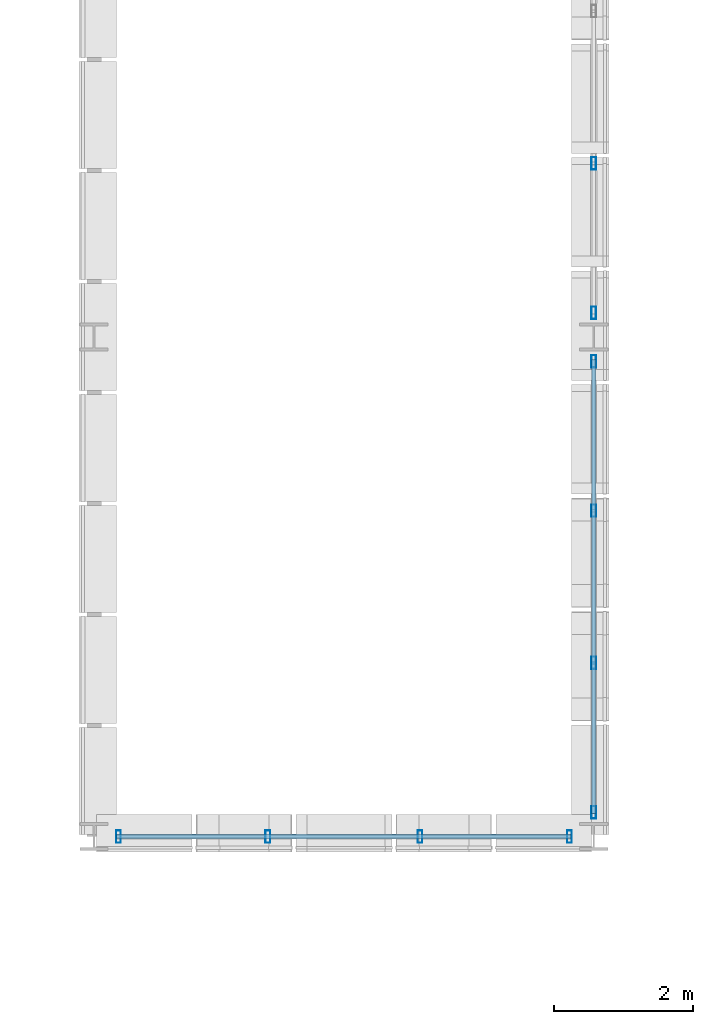
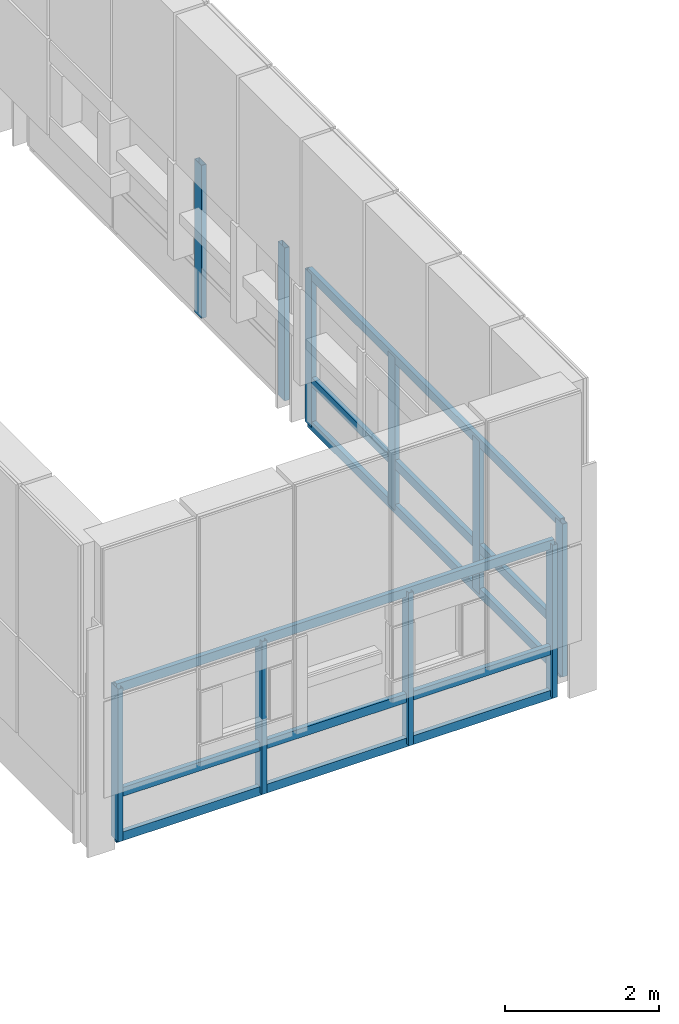
# One storey, part 13 of 96: 16 members, 3 elements without a shape of their own.
"""IFC4 building model written with IfcOpenShell, lengths in metres."""

from ifc_helpers import new_model, si_unit, direction, frame, origin, origin_2d, place, context, subcontext, project, spatial, hollow_rectangle, extrude, material, material_profile, profile_set, type_object, element, aggregate, save


model = new_model("IFC4")

# Units and contexts
model_context = context("Model", 3, precision=1e-05, world=origin(), true_north=direction((0.0, 1.0)))
body_context = subcontext(model_context, "Body", "Model", "MODEL_VIEW")
ifc_project = project(units=[si_unit("LENGTHUNIT", "METRE"), si_unit("AREAUNIT", "SQUARE_METRE"), si_unit("VOLUMEUNIT", "CUBIC_METRE"), si_unit("PLANEANGLEUNIT", "RADIAN"), si_unit("MASSUNIT", "GRAM", prefix="KILO")], contexts=[model_context])

# Site, building, storey
site_placement = place(None, origin())
site = spatial("IfcSite", under=ifc_project, at=site_placement, CompositionType="ELEMENT")
building_placement = place(site_placement, origin())
building = spatial("IfcBuilding", under=site, at=building_placement, Name="Yarey Park Central Fire Station", CompositionType="ELEMENT")
storey_placement = place(building_placement, frame((0.0, 0.0, 14.39990234375)))
storey = spatial("IfcBuildingStorey", under=building, at=storey_placement, Name="L04", CompositionType="ELEMENT", Elevation=14.39990234375)

# Curtain wall, members
ifc_material = material(Name="Anodized Aluminium Frame", Category="aluminium")
curtain_wall_type = type_object("IfcCurtainWallType", Name="ENV_CW_V3_OVR2", PredefinedType="NOTDEFINED", material=ifc_material)
curtain_wall_1_placement = place(storey_placement, origin())
curtain_wall_1 = element("IfcCurtainWall", 1, at=curtain_wall_1_placement, inside=storey, type_object=curtain_wall_type, Name="CW_L04_V1_SE_073", PredefinedType="NOTDEFINED")
ifc_material_profile_1 = material_profile(ifc_material, hollow_rectangle(XDim=0.070068359375, YDim=0.179931640625, WallThickness=0.00390625, at=origin_2d()), Name="ALU 180x70x4")
ifc_profile_set_1 = profile_set([ifc_material_profile_1], Name="Anodized Aluminium Frame")
member_type_1 = type_object("IfcMemberType", Name="ENV_CW_MULLION", PredefinedType="MULLION", material=ifc_profile_set_1)
member_1_placement = place(storey_placement, frame((50.75, 21.60009765625, 0.0), z_axis=(0.0, 0.0, 1.0), x_axis=(1.0, 0.0, 0.0)))
member_1 = element("IfcMember", 2, at=member_1_placement, type_object=member_type_1, Name="CW_L04_V1_SE_073_MUL1", PredefinedType="MULLION", context=body_context, shape_type="SweptSolid", body=[
    extrude(hollow_rectangle(XDim=0.070068359375, YDim=0.179931640625, WallThickness=0.00390625, at=origin_2d()), origin(), (0.0, 0.0, 1.0), 2.420166015625),
])
member_2_placement = place(storey_placement, frame((52.9033203125, 21.60009765625, 0.0), z_axis=(0.0, 0.0, 1.0), x_axis=(1.0, 0.0, 0.0)))
member_2 = element("IfcMember", 3, at=member_2_placement, type_object=member_type_1, Name="CW_L04_V1_SE_073_MUL2", PredefinedType="MULLION", context=body_context, shape_type="SweptSolid", body=[
    extrude(hollow_rectangle(XDim=0.070068359375, YDim=0.179931640625, WallThickness=0.00390625, at=origin_2d()), origin(), (0.0, 0.0, 1.0), 2.420166015625),
])
member_3_placement = place(storey_placement, frame((55.0966796875, 21.60009765625, 0.0), z_axis=(0.0, 0.0, 1.0), x_axis=(1.0, 0.0, 0.0)))
member_3 = element("IfcMember", 4, at=member_3_placement, type_object=member_type_1, Name="CW_L04_V1_SE_073_MUL3", PredefinedType="MULLION", context=body_context, shape_type="SweptSolid", body=[
    extrude(hollow_rectangle(XDim=0.070068359375, YDim=0.179931640625, WallThickness=0.00390625, at=origin_2d()), origin(), (0.0, 0.0, 1.0), 2.420166015625),
])
member_4_placement = place(storey_placement, frame((57.25, 21.60009765625, 0.0), z_axis=(0.0, 0.0, 1.0), x_axis=(1.0, 0.0, 0.0)))
member_4 = element("IfcMember", 5, at=member_4_placement, type_object=member_type_1, Name="CW_L04_V1_SE_073_MUL4", PredefinedType="MULLION", context=body_context, shape_type="SweptSolid", body=[
    extrude(hollow_rectangle(XDim=0.070068359375, YDim=0.179931640625, WallThickness=0.00390625, at=origin_2d()), origin(), (0.0, 0.0, 1.0), 2.420166015625),
])

curtain_wall_2_placement = place(storey_placement, origin())
curtain_wall_2 = element("IfcCurtainWall", 6, at=curtain_wall_2_placement, inside=storey, type_object=curtain_wall_type, Name="CW_L04_V1_E_074", PredefinedType="NOTDEFINED")
member_5_placement = place(storey_placement, frame((57.60009765625, 21.949951171875, 0.0), z_axis=(0.0, 0.0, 1.0), x_axis=(1.0, 0.0, 0.0)))
member_5 = element("IfcMember", 7, at=member_5_placement, type_object=member_type_1, Name="CW_L04_V1_E_074_MUL1", PredefinedType="MULLION", context=body_context, shape_type="SweptSolid", body=[
    extrude(hollow_rectangle(XDim=0.070068359375, YDim=0.179931640625, WallThickness=0.00390625, at=origin_2d()), origin(), (0.0, 0.0, 1.0), 2.420166015625),
])
member_6_placement = place(storey_placement, frame((57.60009765625, 24.103271484375, 0.0), z_axis=(0.0, 0.0, 1.0), x_axis=(1.0, 0.0, 0.0)))
member_6 = element("IfcMember", 8, at=member_6_placement, type_object=member_type_1, Name="CW_L04_V1_E_074_MUL2", PredefinedType="MULLION", context=body_context, shape_type="SweptSolid", body=[
    extrude(hollow_rectangle(XDim=0.070068359375, YDim=0.179931640625, WallThickness=0.00390625, at=origin_2d()), origin(), (0.0, 0.0, 1.0), 2.420166015625),
])
member_7_placement = place(storey_placement, frame((57.60009765625, 26.296630859375, 0.0), z_axis=(0.0, 0.0, 1.0), x_axis=(1.0, 0.0, 0.0)))
member_7 = element("IfcMember", 9, at=member_7_placement, type_object=member_type_1, Name="CW_L04_V1_E_074_MUL3", PredefinedType="MULLION", context=body_context, shape_type="SweptSolid", body=[
    extrude(hollow_rectangle(XDim=0.070068359375, YDim=0.179931640625, WallThickness=0.00390625, at=origin_2d()), origin(), (0.0, 0.0, 1.0), 2.420166015625),
])
member_8_placement = place(storey_placement, frame((57.60009765625, 28.449951171875, 0.0), z_axis=(0.0, 0.0, 1.0), x_axis=(1.0, 0.0, 0.0)))
member_8 = element("IfcMember", 10, at=member_8_placement, type_object=member_type_1, Name="CW_L04_V1_E_074_MUL4", PredefinedType="MULLION", context=body_context, shape_type="SweptSolid", body=[
    extrude(hollow_rectangle(XDim=0.070068359375, YDim=0.179931640625, WallThickness=0.00390625, at=origin_2d()), origin(), (0.0, 0.0, 1.0), 2.420166015625),
])

curtain_wall_3_placement = place(storey_placement, origin())
curtain_wall_3 = element("IfcCurtainWall", 11, at=curtain_wall_3_placement, inside=storey, type_object=curtain_wall_type, Name="CW_L04_V1_E_075", PredefinedType="NOTDEFINED")
member_9_placement = place(storey_placement, frame((57.60009765625, 29.14990234375, 0.0), z_axis=(0.0, 0.0, 1.0), x_axis=(1.0, 0.0, 0.0)))
member_9 = element("IfcMember", 12, at=member_9_placement, type_object=member_type_1, Name="CW_L04_V1_E_075_MUL1", PredefinedType="MULLION", context=body_context, shape_type="SweptSolid", body=[
    extrude(hollow_rectangle(XDim=0.070068359375, YDim=0.179931640625, WallThickness=0.00390625, at=origin_2d()), origin(), (0.0, 0.0, 1.0), 2.420166015625),
])
member_10_placement = place(storey_placement, frame((57.60009765625, 31.30322265625, 0.0), z_axis=(0.0, 0.0, 1.0), x_axis=(1.0, 0.0, 0.0)))
member_10 = element("IfcMember", 13, at=member_10_placement, type_object=member_type_1, Name="CW_L04_V1_E_075_MUL2", PredefinedType="MULLION", context=body_context, shape_type="SweptSolid", body=[
    extrude(hollow_rectangle(XDim=0.070068359375, YDim=0.179931640625, WallThickness=0.00390625, at=origin_2d()), origin(), (0.0, 0.0, 1.0), 2.420166015625),
])
aggregate(curtain_wall_3, [member_9, member_10])

# Member
ifc_material_profile_2 = material_profile(ifc_material, hollow_rectangle(XDim=0.070068359375, YDim=0.139892578125, WallThickness=0.00390625, at=origin_2d()), Name="ALU 140x70x4")
ifc_profile_set_2 = profile_set([ifc_material_profile_2], Name="Anodized Aluminium Frame")
member_type_2 = type_object("IfcMemberType", Name="ENV_CW_TRANSOM", PredefinedType="USERDEFINED", material=ifc_profile_set_2)
member_11_placement = place(storey_placement, frame((50.72509765625, 21.60009765625, 0.025146484375), z_axis=(1.0, 0.0, 0.0), x_axis=(0.0, 1.0, 0.0)))
member_11 = element("IfcMember", 14, at=member_11_placement, type_object=member_type_2, Name="CW_L04_V1_SE_073_TRN1", ObjectType="TRANSOM", PredefinedType="USERDEFINED", context=body_context, shape_type="SweptSolid", body=[
    extrude(hollow_rectangle(XDim=0.070068359375, YDim=0.139892578125, WallThickness=0.00390625, at=origin_2d()), origin(), (0.0, 0.0, 1.0), 6.5498046875),
])

member_12_placement = place(storey_placement, frame((50.72509765625, 21.60009765625, 0.72607421875), z_axis=(1.0, 0.0, 0.0), x_axis=(0.0, 1.0, 0.0)))
member_12 = element("IfcMember", 15, at=member_12_placement, type_object=member_type_2, Name="CW_L04_V1_SE_073_TRN2", ObjectType="TRANSOM", PredefinedType="USERDEFINED", context=body_context, shape_type="SweptSolid", body=[
    extrude(hollow_rectangle(XDim=0.070068359375, YDim=0.139892578125, WallThickness=0.00390625, at=origin_2d()), origin(), (0.0, 0.0, 1.0), 6.5498046875),
])

member_13_placement = place(storey_placement, frame((50.72509765625, 21.60009765625, 2.39501953125), z_axis=(1.0, 0.0, 0.0), x_axis=(0.0, 1.0, 0.0)))
member_13 = element("IfcMember", 16, at=member_13_placement, type_object=member_type_2, Name="CW_L04_V1_SE_073_TRN3", ObjectType="TRANSOM", PredefinedType="USERDEFINED", context=body_context, shape_type="SweptSolid", body=[
    extrude(hollow_rectangle(XDim=0.070068359375, YDim=0.139892578125, WallThickness=0.00390625, at=origin_2d()), origin(), (0.0, 0.0, 1.0), 6.5498046875),
])

aggregate(curtain_wall_1, [member_1, member_2, member_3, member_4, member_11, member_12, member_13])

member_14_placement = place(storey_placement, frame((57.60009765625, 21.925048828125, 0.025146484375), z_axis=(0.0, 1.0, 0.0), x_axis=(-1.0, 0.0, 0.0)))
member_14 = element("IfcMember", 17, at=member_14_placement, type_object=member_type_2, Name="CW_L04_V1_E_074_TRN1", ObjectType="TRANSOM", PredefinedType="USERDEFINED", context=body_context, shape_type="SweptSolid", body=[
    extrude(hollow_rectangle(XDim=0.070068359375, YDim=0.139892578125, WallThickness=0.00390625, at=origin_2d()), origin(), (0.0, 0.0, 1.0), 6.550048828125),
])

member_15_placement = place(storey_placement, frame((57.60009765625, 21.925048828125, 0.72607421875), z_axis=(0.0, 1.0, 0.0), x_axis=(-1.0, 0.0, 0.0)))
member_15 = element("IfcMember", 18, at=member_15_placement, type_object=member_type_2, Name="CW_L04_V1_E_074_TRN2", ObjectType="TRANSOM", PredefinedType="USERDEFINED", context=body_context, shape_type="SweptSolid", body=[
    extrude(hollow_rectangle(XDim=0.070068359375, YDim=0.139892578125, WallThickness=0.00390625, at=origin_2d()), origin(), (0.0, 0.0, 1.0), 6.550048828125),
])

member_16_placement = place(storey_placement, frame((57.60009765625, 21.925048828125, 2.39501953125), z_axis=(0.0, 1.0, 0.0), x_axis=(-1.0, 0.0, 0.0)))
member_16 = element("IfcMember", 19, at=member_16_placement, type_object=member_type_2, Name="CW_L04_V1_E_074_TRN3", ObjectType="TRANSOM", PredefinedType="USERDEFINED", context=body_context, shape_type="SweptSolid", body=[
    extrude(hollow_rectangle(XDim=0.070068359375, YDim=0.139892578125, WallThickness=0.00390625, at=origin_2d()), origin(), (0.0, 0.0, 1.0), 6.550048828125),
])

aggregate(curtain_wall_2, [member_5, member_6, member_7, member_8, member_14, member_15, member_16])

save(model, "model.ifc")
